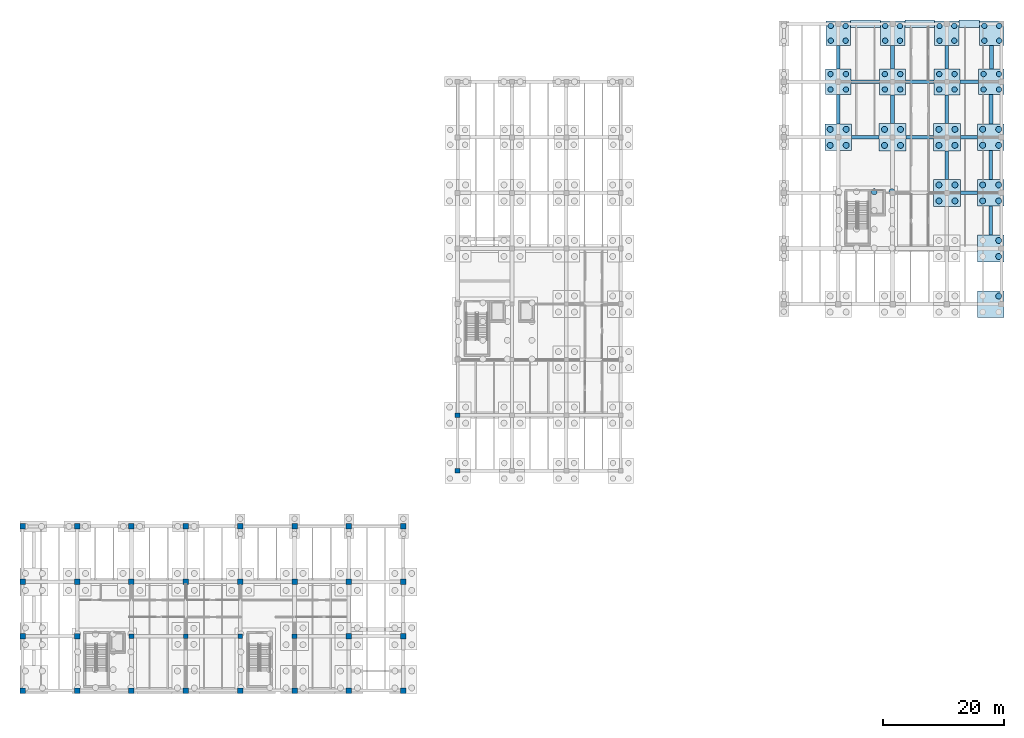
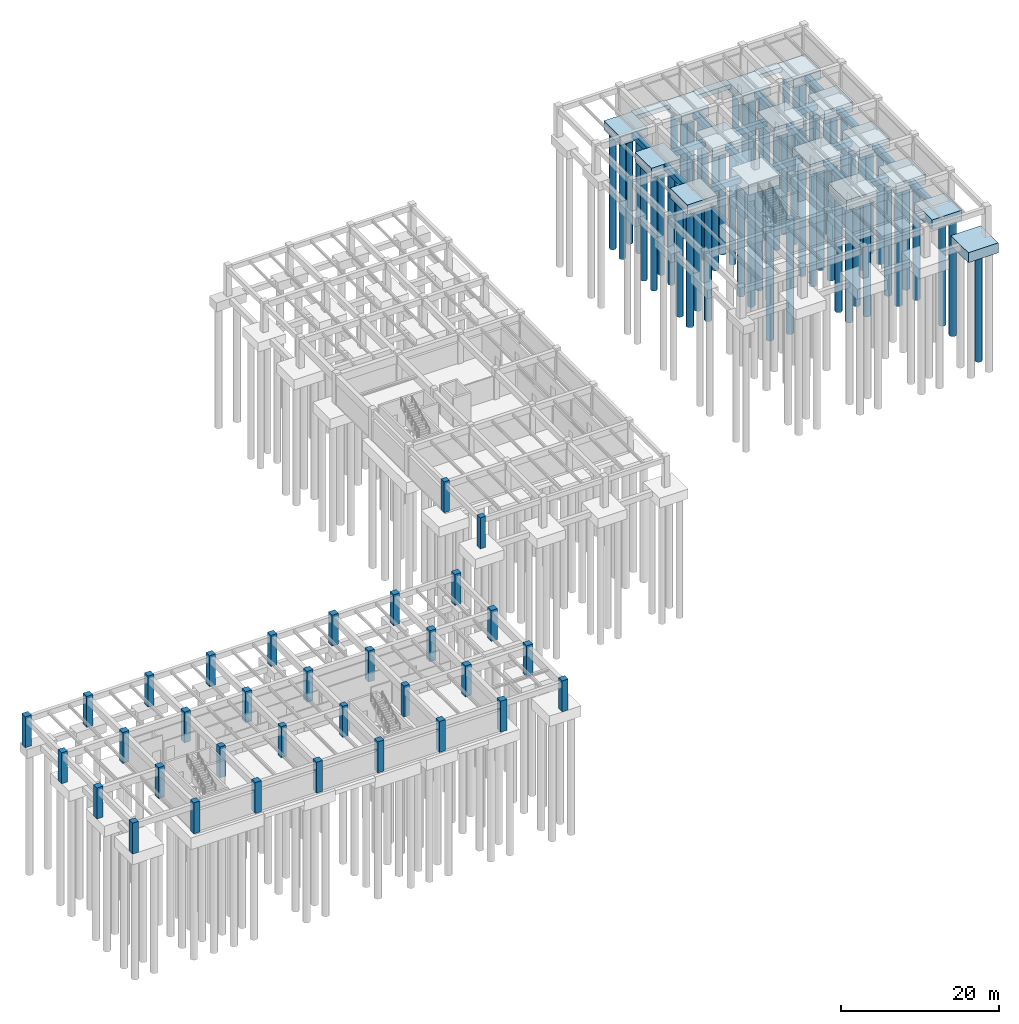
# One storey, part 4 of 16: 61 piles, 37 footings, 34 columns.
"""IFC4 building model written with IfcOpenShell, lengths in metres."""

from ifc_helpers import new_model, si_unit, direction, frame, origin, origin_2d, place, context, subcontext, project, spatial, rectangle, circle, extrude, material, material_profile, profile_set, type_object, element, save


model = new_model("IFC4")

# Units and contexts
model_context = context("Model", 3, precision=1e-05, world=origin(), true_north=direction((0.0, 1.0)))
body_context = subcontext(model_context, "Body", "Model", "MODEL_VIEW")
ifc_project = project(units=[si_unit("LENGTHUNIT", "METRE"), si_unit("AREAUNIT", "SQUARE_METRE"), si_unit("VOLUMEUNIT", "CUBIC_METRE"), si_unit("PLANEANGLEUNIT", "RADIAN"), si_unit("MASSUNIT", "GRAM", prefix="KILO")], contexts=[model_context])

# Site, building, storey
site_placement = place(None, origin())
site = spatial("IfcSite", under=ifc_project, at=site_placement, CompositionType="ELEMENT")
building_placement = place(site_placement, origin())
building = spatial("IfcBuilding", under=site, at=building_placement, Name="Bozkorgan Art Gallery", CompositionType="ELEMENT")
storey_placement = place(building_placement, frame((0.0, 0.0, -4.800048828125)))
storey = spatial("IfcBuildingStorey", under=building, at=storey_placement, Name="B1", CompositionType="ELEMENT", Elevation=-4.800048828125)

# Footings
ifc_material_1 = material(Name="Concrete C30/37", Category="concrete")
ifc_material_profile_1 = material_profile(ifc_material_1, rectangle(XDim=0.60009765625, YDim=0.85009765625, at=origin_2d()), Name="FND 600x850")
ifc_profile_set_1 = profile_set([ifc_material_profile_1], Name="Concrete C30/37")
footing_type_1 = type_object("IfcFootingType", Name="FOOTING-FB-70", PredefinedType="FOOTING_BEAM", material=ifc_profile_set_1)
footing_1_placement = place(storey_placement, frame((157.25, 84.39990234375, -0.925048828125), z_axis=(1.0, 0.0, 0.0), x_axis=(0.0, 1.0, 0.0)))
element("IfcFooting", 1, at=footing_1_placement, inside=storey, type_object=footing_type_1, Name="V5 foundation tie beam X (155-164, 84.4)", PredefinedType="FOOTING_BEAM", context=body_context, shape_type="SweptSolid", body=[
    extrude(rectangle(XDim=0.60009765625, YDim=0.85009765625, at=origin_2d()), origin(), (0.0, 0.0, 1.0), 2.800048828125),
])
footing_2_placement = place(storey_placement, frame((139.199951171875, 93.60009765625, -0.925048828125), z_axis=(1.0, 0.0, 0.0), x_axis=(0.0, 1.0, 0.0)))
element("IfcFooting", 2, at=footing_2_placement, inside=storey, type_object=footing_type_1, Name="V5 foundation tie beam X (137-146, 93.6)", PredefinedType="FOOTING_BEAM", context=body_context, shape_type="SweptSolid", body=[
    extrude(rectangle(XDim=0.60009765625, YDim=0.85009765625, at=origin_2d()), origin(), (0.0, 0.0, 1.0), 4.550048828125),
])
footing_3_placement = place(storey_placement, frame((148.25, 93.60009765625, -0.925048828125), z_axis=(1.0, 0.0, 0.0), x_axis=(0.0, 1.0, 0.0)))
element("IfcFooting", 3, at=footing_3_placement, inside=storey, type_object=footing_type_1, Name="V5 foundation tie beam X (146-155, 93.6)", PredefinedType="FOOTING_BEAM", context=body_context, shape_type="SweptSolid", body=[
    extrude(rectangle(XDim=0.60009765625, YDim=0.85009765625, at=origin_2d()), origin(), (0.0, 0.0, 1.0), 4.5),
])
footing_4_placement = place(storey_placement, frame((157.25, 93.60009765625, -0.925048828125), z_axis=(1.0, 0.0, 0.0), x_axis=(0.0, 1.0, 0.0)))
element("IfcFooting", 4, at=footing_4_placement, inside=storey, type_object=footing_type_1, Name="V5 foundation tie beam X (155-164, 93.6)", PredefinedType="FOOTING_BEAM", context=body_context, shape_type="SweptSolid", body=[
    extrude(rectangle(XDim=0.60009765625, YDim=0.85009765625, at=origin_2d()), origin(), (0.0, 0.0, 1.0), 2.800048828125),
])
footing_5_placement = place(storey_placement, frame((139.10009765625, 102.800048828125, -0.925048828125), z_axis=(1.0, 0.0, 0.0), x_axis=(0.0, 1.0, 0.0)))
element("IfcFooting", 5, at=footing_5_placement, inside=storey, type_object=footing_type_1, Name="V5 foundation tie beam X (137-146, 102.8)", PredefinedType="FOOTING_BEAM", context=body_context, shape_type="SweptSolid", body=[
    extrude(rectangle(XDim=0.60009765625, YDim=0.85009765625, at=origin_2d()), origin(), (0.0, 0.0, 1.0), 4.75),
])
footing_6_placement = place(storey_placement, frame((148.14990234375, 102.800048828125, -0.925048828125), z_axis=(1.0, 0.0, 0.0), x_axis=(0.0, 1.0, 0.0)))
element("IfcFooting", 6, at=footing_6_placement, inside=storey, type_object=footing_type_1, Name="V5 foundation tie beam X (146-155, 102.8)", PredefinedType="FOOTING_BEAM", context=body_context, shape_type="SweptSolid", body=[
    extrude(rectangle(XDim=0.60009765625, YDim=0.85009765625, at=origin_2d()), origin(), (0.0, 0.0, 1.0), 4.7001953125),
])
footing_7_placement = place(storey_placement, frame((157.14990234375, 102.800048828125, -0.925048828125), z_axis=(1.0, 0.0, 0.0), x_axis=(0.0, 1.0, 0.0)))
element("IfcFooting", 7, at=footing_7_placement, inside=storey, type_object=footing_type_1, Name="V5 foundation tie beam X (155-164, 102.8)", PredefinedType="FOOTING_BEAM", context=body_context, shape_type="SweptSolid", body=[
    extrude(rectangle(XDim=0.60009765625, YDim=0.85009765625, at=origin_2d()), origin(), (0.0, 0.0, 1.0), 3.10009765625),
])
footing_8_placement = place(storey_placement, frame((137.0, 95.800048828125, -0.925048828125), z_axis=(0.0, 1.0, 0.0), x_axis=(-1.0, 0.0, 0.0)))
element("IfcFooting", 8, at=footing_8_placement, inside=storey, type_object=footing_type_1, Name="V5 foundation tie beam Y (137, 93.6-102.8)", PredefinedType="FOOTING_BEAM", context=body_context, shape_type="SweptSolid", body=[
    extrude(rectangle(XDim=0.60009765625, YDim=0.85009765625, at=origin_2d()), origin(), (0.0, 0.0, 1.0), 4.89990234375),
])
footing_9_placement = place(storey_placement, frame((137.0, 104.89990234375, -0.925048828125), z_axis=(0.0, 1.0, 0.0), x_axis=(-1.0, 0.0, 0.0)))
element("IfcFooting", 9, at=footing_9_placement, inside=storey, type_object=footing_type_1, Name="V5 foundation tie beam Y (137, 102.8-112.4)", PredefinedType="FOOTING_BEAM", context=body_context, shape_type="SweptSolid", body=[
    extrude(rectangle(XDim=0.60009765625, YDim=0.85009765625, at=origin_2d()), origin(), (0.0, 0.0, 1.0), 3.900146484375),
])
footing_10_placement = place(storey_placement, frame((146.0, 95.85009765625, -0.925048828125), z_axis=(0.0, 1.0, 0.0), x_axis=(-1.0, 0.0, 0.0)))
element("IfcFooting", 10, at=footing_10_placement, inside=storey, type_object=footing_type_1, Name="V5 foundation tie beam Y (146, 93.6-102.8)", PredefinedType="FOOTING_BEAM", context=body_context, shape_type="SweptSolid", body=[
    extrude(rectangle(XDim=0.60009765625, YDim=0.85009765625, at=origin_2d()), origin(), (0.0, 0.0, 1.0), 4.7998046875),
])
footing_11_placement = place(storey_placement, frame((146.0, 104.949951171875, -0.925048828125), z_axis=(0.0, 1.0, 0.0), x_axis=(-1.0, 0.0, 0.0)))
element("IfcFooting", 11, at=footing_11_placement, inside=storey, type_object=footing_type_1, Name="V5 foundation tie beam Y (146, 102.8-112.4)", PredefinedType="FOOTING_BEAM", context=body_context, shape_type="SweptSolid", body=[
    extrude(rectangle(XDim=0.60009765625, YDim=0.85009765625, at=origin_2d()), origin(), (0.0, 0.0, 1.0), 3.85009765625),
])
footing_12_placement = place(storey_placement, frame((155.0, 86.64990234375, -0.925048828125), z_axis=(0.0, 1.0, 0.0), x_axis=(-1.0, 0.0, 0.0)))
element("IfcFooting", 12, at=footing_12_placement, inside=storey, type_object=footing_type_1, Name="V5 foundation tie beam Y (155, 84.4-93.6)", PredefinedType="FOOTING_BEAM", context=body_context, shape_type="SweptSolid", body=[
    extrude(rectangle(XDim=0.60009765625, YDim=0.85009765625, at=origin_2d()), origin(), (0.0, 0.0, 1.0), 4.7001953125),
])
footing_13_placement = place(storey_placement, frame((155.0, 95.85009765625, -0.925048828125), z_axis=(0.0, 1.0, 0.0), x_axis=(-1.0, 0.0, 0.0)))
element("IfcFooting", 13, at=footing_13_placement, inside=storey, type_object=footing_type_1, Name="V5 foundation tie beam Y (155, 93.6-102.8)", PredefinedType="FOOTING_BEAM", context=body_context, shape_type="SweptSolid", body=[
    extrude(rectangle(XDim=0.60009765625, YDim=0.85009765625, at=origin_2d()), origin(), (0.0, 0.0, 1.0), 4.7998046875),
])
footing_14_placement = place(storey_placement, frame((155.0, 104.949951171875, -0.925048828125), z_axis=(0.0, 1.0, 0.0), x_axis=(-1.0, 0.0, 0.0)))
element("IfcFooting", 14, at=footing_14_placement, inside=storey, type_object=footing_type_1, Name="V5 foundation tie beam Y (155, 102.8-112.4)", PredefinedType="FOOTING_BEAM", context=body_context, shape_type="SweptSolid", body=[
    extrude(rectangle(XDim=0.60009765625, YDim=0.85009765625, at=origin_2d()), origin(), (0.0, 0.0, 1.0), 3.85009765625),
])
footing_15_placement = place(storey_placement, frame((162.25, 77.39990234375, -0.925048828125), z_axis=(0.0, 1.0, 0.0), x_axis=(-1.0, 0.0, 0.0)))
element("IfcFooting", 15, at=footing_15_placement, inside=storey, type_object=footing_type_1, Name="V5 foundation tie beam Y (164, 75.2-84.4)", PredefinedType="FOOTING_BEAM", context=body_context, shape_type="SweptSolid", body=[
    extrude(rectangle(XDim=0.60009765625, YDim=0.85009765625, at=origin_2d()), origin(), (0.0, 0.0, 1.0), 4.800048828125),
])
footing_16_placement = place(storey_placement, frame((162.25, 86.60009765625, -0.925048828125), z_axis=(0.0, 1.0, 0.0), x_axis=(-1.0, 0.0, 0.0)))
element("IfcFooting", 16, at=footing_16_placement, inside=storey, type_object=footing_type_1, Name="V5 foundation tie beam Y (164, 84.4-93.6)", PredefinedType="FOOTING_BEAM", context=body_context, shape_type="SweptSolid", body=[
    extrude(rectangle(XDim=0.60009765625, YDim=0.85009765625, at=origin_2d()), origin(), (0.0, 0.0, 1.0), 4.7998046875),
])
footing_17_placement = place(storey_placement, frame((162.300048828125, 95.800048828125, -0.925048828125), z_axis=(0.0, 1.0, 0.0), x_axis=(-1.0, 0.0, 0.0)))
element("IfcFooting", 17, at=footing_17_placement, inside=storey, type_object=footing_type_1, Name="V5 foundation tie beam Y (164, 93.6-102.8)", PredefinedType="FOOTING_BEAM", context=body_context, shape_type="SweptSolid", body=[
    extrude(rectangle(XDim=0.60009765625, YDim=0.85009765625, at=origin_2d()), origin(), (0.0, 0.0, 1.0), 4.89990234375),
])
footing_18_placement = place(storey_placement, frame((162.387451171875, 104.89990234375, -0.925048828125), z_axis=(0.0, 1.0, 0.0), x_axis=(-1.0, 0.0, 0.0)))
element("IfcFooting", 18, at=footing_18_placement, inside=storey, type_object=footing_type_1, Name="V5 foundation tie beam Y (164, 102.8-112.4)", PredefinedType="FOOTING_BEAM", context=body_context, shape_type="SweptSolid", body=[
    extrude(rectangle(XDim=0.60009765625, YDim=0.85009765625, at=origin_2d()), origin(), (0.0, 0.0, 1.0), 3.900146484375),
])
footing_type_2 = type_object("IfcFootingType", Name="FOOTING-PC-17", PredefinedType="PILE_CAP", material=ifc_material_1)
for number, where, z_axis, x_axis, name in (
    (19, (137.0, 102.800048828125, -2.0), (0.0, 0.0, 1.0), (1.0, 0.0, 0.0), "V5 pile cap (137.0, 102.8)"),
    (20, (162.35009765625, 102.800048828125, -2.0), (0.0, 0.0, 1.0), (1.0, 0.0, 0.0), "V5 pile cap (164.0, 102.8)"),
):
    element("IfcFooting", number, at=place(storey_placement, frame(where, z_axis=z_axis, x_axis=x_axis)), inside=storey, type_object=footing_type_2, Name=name, PredefinedType="PILE_CAP", context=body_context, shape_type="SweptSolid", body=[
        extrude(rectangle(XDim=4.199951171875, YDim=4.199951171875, at=origin_2d()), origin(), (0.0, 0.0, 1.0), 1.5),
    ])
footing_type_3 = type_object("IfcFootingType", Name="FOOTING-PC-54", PredefinedType="PILE_CAP", material=ifc_material_1)
for number, where, z_axis, x_axis, name in (
    (21, (146.0, 93.60009765625, -2.10009765625), (0.0, 0.0, 1.0), (1.0, 0.0, 0.0), "V5 pile cap (146.0, 93.6)"),
    (22, (155.0, 84.39990234375, -2.10009765625), (0.0, 0.0, 1.0), (1.0, 0.0, 0.0), "V5 pile cap (155.0, 84.4)"),
    (23, (155.0, 93.60009765625, -2.10009765625), (0.0, 0.0, 1.0), (1.0, 0.0, 0.0), "V5 pile cap (155.0, 93.6)"),
):
    element("IfcFooting", number, at=place(storey_placement, frame(where, z_axis=z_axis, x_axis=x_axis)), inside=storey, type_object=footing_type_3, Name=name, PredefinedType="PILE_CAP", context=body_context, shape_type="SweptSolid", body=[
        extrude(rectangle(XDim=4.5, YDim=4.5, at=origin_2d()), origin(), (0.0, 0.0, 1.0), 1.60009765625),
    ])
footing_type_4 = type_object("IfcFootingType", Name="FOOTING-PC-72", PredefinedType="PILE_CAP", material=ifc_material_1)
for number, where, z_axis, x_axis, name in (
    (24, (146.0, 102.800048828125, -2.0), (0.0, 0.0, 1.0), (1.0, 0.0, 0.0), "V5 pile cap (146.0, 102.8)"),
    (25, (155.0, 102.800048828125, -2.0), (0.0, 0.0, 1.0), (1.0, 0.0, 0.0), "V5 pile cap (155.0, 102.8)"),
):
    element("IfcFooting", number, at=place(storey_placement, frame(where, z_axis=z_axis, x_axis=x_axis)), inside=storey, type_object=footing_type_4, Name=name, PredefinedType="PILE_CAP", context=body_context, shape_type="SweptSolid", body=[
        extrude(rectangle(XDim=4.300048828125, YDim=4.300048828125, at=origin_2d()), origin(), (0.0, 0.0, 1.0), 1.5),
    ])
footing_type_5 = type_object("IfcFootingType", Name="FOOTING-PC-74", PredefinedType="PILE_CAP", material=ifc_material_1)
for number, where, z_axis, x_axis, name in (
    (26, (137.0, 110.824951171875, -1.89990234375), (0.0, 0.0, 1.0), (1.0, 0.0, 0.0), "V5 pile cap (137.0, 112.4)"),
    (27, (146.0, 110.824951171875, -1.89990234375), (0.0, 0.0, 1.0), (1.0, 0.0, 0.0), "V5 pile cap (146.0, 112.4)"),
    (28, (155.0, 110.824951171875, -1.89990234375), (0.0, 0.0, 1.0), (1.0, 0.0, 0.0), "V5 pile cap (155.0, 112.4)"),
    (29, (162.425048828125, 110.824951171875, -1.89990234375), (0.0, 0.0, 1.0), (1.0, 0.0, 0.0), "V5 pile cap (164.0, 112.4)"),
):
    element("IfcFooting", number, at=place(storey_placement, frame(where, z_axis=z_axis, x_axis=x_axis)), inside=storey, type_object=footing_type_5, Name=name, PredefinedType="PILE_CAP", context=body_context, shape_type="SweptSolid", body=[
        extrude(rectangle(XDim=4.050048828125, YDim=4.050048828125, at=origin_2d()), origin(), (0.0, 0.0, 1.0), 1.39990234375),
    ])
footing_type_6 = type_object("IfcFootingType", Name="FOOTING-PC-76", PredefinedType="PILE_CAP", material=ifc_material_1)
for number, where, z_axis, x_axis, name in (
    (30, (137.0, 93.60009765625, -2.0498046875), (0.0, 0.0, 1.0), (1.0, 0.0, 0.0), "V5 pile cap (137.0, 93.6)"),
    (31, (162.25, 66.0, -1.5498046875), (0.0, 0.0, 1.0), (1.0, 0.0, 0.0), "V5 pile cap (164.0, 66.0)"),
    (32, (162.25, 75.199951171875, -2.0498046875), (0.0, 0.0, 1.0), (1.0, 0.0, 0.0), "V5 pile cap (164.0, 75.2)"),
    (33, (162.25, 84.39990234375, -2.0498046875), (0.0, 0.0, 1.0), (1.0, 0.0, 0.0), "V5 pile cap (164.0, 84.4)"),
    (34, (162.25, 93.60009765625, -2.0498046875), (0.0, 0.0, 1.0), (1.0, 0.0, 0.0), "V5 pile cap (164.0, 93.6)"),
):
    element("IfcFooting", number, at=place(storey_placement, frame(where, z_axis=z_axis, x_axis=x_axis)), inside=storey, type_object=footing_type_6, Name=name, PredefinedType="PILE_CAP", context=body_context, shape_type="SweptSolid", body=[
        extrude(rectangle(XDim=4.39990234375, YDim=4.39990234375, at=origin_2d()), origin(), (0.0, 0.0, 1.0), 1.550048828125),
    ])
ifc_material_profile_2 = material_profile(ifc_material_1, rectangle(XDim=1.25, YDim=0.699951171875, at=origin_2d()), Name="FND 1250x700")
ifc_profile_set_2 = profile_set([ifc_material_profile_2], Name="Concrete C30/37")
footing_type_7 = type_object("IfcFootingType", Name="FOOTING-SF-14", PredefinedType="STRIP_FOOTING", material=ifc_profile_set_2)
for number, where, z_axis, x_axis, name in (
    (35, (139.02490234375, 112.39990234375, -0.824951171875), (1.0, 0.0, 0.0), (0.0, 1.0, 0.0), "V5 B1 retaining wall strip footing 17"),
    (36, (148.02490234375, 112.39990234375, -0.824951171875), (1.0, 0.0, 0.0), (0.0, 1.0, 0.0), "V5 B1 retaining wall strip footing 18"),
):
    element("IfcFooting", number, at=place(storey_placement, frame(where, z_axis=z_axis, x_axis=x_axis)), inside=storey, type_object=footing_type_7, Name=name, PredefinedType="STRIP_FOOTING", context=body_context, shape_type="SweptSolid", body=[
        extrude(rectangle(XDim=1.25, YDim=0.699951171875, at=origin_2d()), origin(), (0.0, 0.0, 1.0), 4.9501953125),
    ])
footing_19_placement = place(storey_placement, frame((157.02490234375, 112.39990234375, -0.824951171875), z_axis=(1.0, 0.0, 0.0), x_axis=(0.0, 1.0, 0.0)))
element("IfcFooting", 37, at=footing_19_placement, inside=storey, type_object=footing_type_7, Name="V5 B1 retaining wall strip footing 19", PredefinedType="STRIP_FOOTING", context=body_context, shape_type="SweptSolid", body=[
    extrude(rectangle(XDim=1.25, YDim=0.699951171875, at=origin_2d()), origin(), (0.0, 0.0, 1.0), 3.375),
])

# Piles
ifc_material_profile_3 = material_profile(ifc_material_1, circle(Radius=0.5, at=origin_2d()), Name="PILE D1000")
ifc_profile_set_3 = profile_set([ifc_material_profile_3], Name="Concrete C30/37")
pile_type_1 = type_object("IfcPileType", Name="PILE-P-36", PredefinedType="BORED", material=ifc_profile_set_3)
for number, where, z_axis, x_axis, name in (
    (38, (142.966796875, 84.60009765625, -2.199951171875), (0.0, 0.0, -1.0), (1.0, 0.0, 0.0), "CORE3 bored pile 12"),
    (39, (145.89990234375, 84.60009765625, -2.199951171875), (0.0, 0.0, -1.0), (1.0, 0.0, 0.0), "CORE3 bored pile 16"),
):
    element("IfcPile", number, at=place(storey_placement, frame(where, z_axis=z_axis, x_axis=x_axis)), inside=storey, type_object=pile_type_1, Name=name, PredefinedType="BORED", context=body_context, shape_type="SweptSolid", body=[
        extrude(circle(Radius=0.5, at=origin_2d()), origin(), (0.0, 0.0, 1.0), 17.800048828125),
    ])
for number, where, z_axis, x_axis, name in (
    (40, (135.675048828125, 92.27490234375, -1.949951171875), (0.0, 0.0, -1.0), (1.0, 0.0, 0.0), "V5 pile (137.0, 93.6) #1"),
    (41, (138.324951171875, 92.27490234375, -1.949951171875), (0.0, 0.0, -1.0), (1.0, 0.0, 0.0), "V5 pile (137.0, 93.6) #2"),
    (42, (135.675048828125, 94.925048828125, -1.949951171875), (0.0, 0.0, -1.0), (1.0, 0.0, 0.0), "V5 pile (137.0, 93.6) #3"),
    (43, (138.324951171875, 94.925048828125, -1.949951171875), (0.0, 0.0, -1.0), (1.0, 0.0, 0.0), "V5 pile (137.0, 93.6) #4"),
):
    element("IfcPile", number, at=place(storey_placement, frame(where, z_axis=z_axis, x_axis=x_axis)), inside=storey, type_object=pile_type_1, Name=name, PredefinedType="BORED", context=body_context, shape_type="SweptSolid", body=[
        extrude(circle(Radius=0.5, at=origin_2d()), origin(), (0.0, 0.0, 1.0), 18.050048828125),
    ])
for number, where, z_axis, x_axis, name in (
    (44, (144.675048828125, 92.27490234375, -2.0), (0.0, 0.0, -1.0), (1.0, 0.0, 0.0), "V5 pile (146.0, 93.6) #1"),
    (45, (147.324951171875, 92.27490234375, -2.0), (0.0, 0.0, -1.0), (1.0, 0.0, 0.0), "V5 pile (146.0, 93.6) #2"),
    (46, (144.675048828125, 94.925048828125, -2.0), (0.0, 0.0, -1.0), (1.0, 0.0, 0.0), "V5 pile (146.0, 93.6) #3"),
    (47, (147.324951171875, 94.925048828125, -2.0), (0.0, 0.0, -1.0), (1.0, 0.0, 0.0), "V5 pile (146.0, 93.6) #4"),
    (48, (153.675048828125, 83.074951171875, -2.0), (0.0, 0.0, -1.0), (1.0, 0.0, 0.0), "V5 pile (155.0, 84.4) #1"),
    (49, (156.324951171875, 83.074951171875, -2.0), (0.0, 0.0, -1.0), (1.0, 0.0, 0.0), "V5 pile (155.0, 84.4) #2"),
    (50, (153.675048828125, 85.72509765625, -2.0), (0.0, 0.0, -1.0), (1.0, 0.0, 0.0), "V5 pile (155.0, 84.4) #3"),
    (51, (156.324951171875, 85.72509765625, -2.0), (0.0, 0.0, -1.0), (1.0, 0.0, 0.0), "V5 pile (155.0, 84.4) #4"),
    (52, (153.675048828125, 92.27490234375, -2.0), (0.0, 0.0, -1.0), (1.0, 0.0, 0.0), "V5 pile (155.0, 93.6) #1"),
    (53, (156.324951171875, 92.27490234375, -2.0), (0.0, 0.0, -1.0), (1.0, 0.0, 0.0), "V5 pile (155.0, 93.6) #2"),
    (54, (153.675048828125, 94.925048828125, -2.0), (0.0, 0.0, -1.0), (1.0, 0.0, 0.0), "V5 pile (155.0, 93.6) #3"),
    (55, (156.324951171875, 94.925048828125, -2.0), (0.0, 0.0, -1.0), (1.0, 0.0, 0.0), "V5 pile (155.0, 93.6) #4"),
):
    element("IfcPile", number, at=place(storey_placement, frame(where, z_axis=z_axis, x_axis=x_axis)), inside=storey, type_object=pile_type_1, Name=name, PredefinedType="BORED", context=body_context, shape_type="SweptSolid", body=[
        extrude(circle(Radius=0.5, at=origin_2d()), origin(), (0.0, 0.0, 1.0), 18.0),
    ])
pile_placement = place(storey_placement, frame((163.574951171875, 67.324951171875, -1.449951171875), z_axis=(0.0, 0.0, -1.0), x_axis=(1.0, 0.0, 0.0)))
element("IfcPile", 56, at=pile_placement, inside=storey, type_object=pile_type_1, Name="V5 pile (164.0, 66.0) #4", PredefinedType="BORED", context=body_context, shape_type="SweptSolid", body=[
    extrude(circle(Radius=0.5, at=origin_2d()), origin(), (0.0, 0.0, 1.0), 18.550048828125),
])
for number, where, z_axis, x_axis, name in (
    (57, (163.574951171875, 73.875, -1.949951171875), (0.0, 0.0, -1.0), (1.0, 0.0, 0.0), "V5 pile (164.0, 75.2) #2"),
    (58, (163.574951171875, 76.52490234375, -1.949951171875), (0.0, 0.0, -1.0), (1.0, 0.0, 0.0), "V5 pile (164.0, 75.2) #4"),
    (59, (160.925048828125, 83.074951171875, -1.949951171875), (0.0, 0.0, -1.0), (1.0, 0.0, 0.0), "V5 pile (164.0, 84.4) #1"),
    (60, (163.574951171875, 83.074951171875, -1.949951171875), (0.0, 0.0, -1.0), (1.0, 0.0, 0.0), "V5 pile (164.0, 84.4) #2"),
    (61, (160.925048828125, 85.72509765625, -1.949951171875), (0.0, 0.0, -1.0), (1.0, 0.0, 0.0), "V5 pile (164.0, 84.4) #3"),
    (62, (163.574951171875, 85.72509765625, -1.949951171875), (0.0, 0.0, -1.0), (1.0, 0.0, 0.0), "V5 pile (164.0, 84.4) #4"),
    (63, (160.925048828125, 92.27490234375, -1.949951171875), (0.0, 0.0, -1.0), (1.0, 0.0, 0.0), "V5 pile (164.0, 93.6) #1"),
    (64, (163.574951171875, 92.27490234375, -1.949951171875), (0.0, 0.0, -1.0), (1.0, 0.0, 0.0), "V5 pile (164.0, 93.6) #2"),
    (65, (160.925048828125, 94.925048828125, -1.949951171875), (0.0, 0.0, -1.0), (1.0, 0.0, 0.0), "V5 pile (164.0, 93.6) #3"),
    (66, (163.574951171875, 94.925048828125, -1.949951171875), (0.0, 0.0, -1.0), (1.0, 0.0, 0.0), "V5 pile (164.0, 93.6) #4"),
):
    element("IfcPile", number, at=place(storey_placement, frame(where, z_axis=z_axis, x_axis=x_axis)), inside=storey, type_object=pile_type_1, Name=name, PredefinedType="BORED", context=body_context, shape_type="SweptSolid", body=[
        extrude(circle(Radius=0.5, at=origin_2d()), origin(), (0.0, 0.0, 1.0), 18.050048828125),
    ])
ifc_material_profile_4 = material_profile(ifc_material_1, circle(Radius=0.449951171875, at=origin_2d()), Name="PILE D900")
ifc_profile_set_4 = profile_set([ifc_material_profile_4], Name="Concrete C30/37")
pile_type_2 = type_object("IfcPileType", Name="PILE-P-65", PredefinedType="BORED", material=ifc_profile_set_4)
for number, where, z_axis, x_axis, name in (
    (67, (135.72509765625, 101.52490234375, -1.89990234375), (0.0, 0.0, -1.0), (1.0, 0.0, 0.0), "V5 pile (137.0, 102.8) #1"),
    (68, (138.27490234375, 101.52490234375, -1.89990234375), (0.0, 0.0, -1.0), (1.0, 0.0, 0.0), "V5 pile (137.0, 102.8) #2"),
    (69, (135.72509765625, 104.074951171875, -1.89990234375), (0.0, 0.0, -1.0), (1.0, 0.0, 0.0), "V5 pile (137.0, 102.8) #3"),
    (70, (138.27490234375, 104.074951171875, -1.89990234375), (0.0, 0.0, -1.0), (1.0, 0.0, 0.0), "V5 pile (137.0, 102.8) #4"),
):
    element("IfcPile", number, at=place(storey_placement, frame(where, z_axis=z_axis, x_axis=x_axis)), inside=storey, type_object=pile_type_2, Name=name, PredefinedType="BORED", context=body_context, shape_type="SweptSolid", body=[
        extrude(circle(Radius=0.449951171875, at=origin_2d()), origin(), (0.0, 0.0, 1.0), 18.10009765625),
    ])
for number, where, z_axis, x_axis, name in (
    (71, (135.77490234375, 109.60009765625, -1.800048828125), (0.0, 0.0, -1.0), (1.0, 0.0, 0.0), "V5 pile (137.0, 112.4) #1"),
    (72, (138.22509765625, 109.60009765625, -1.800048828125), (0.0, 0.0, -1.0), (1.0, 0.0, 0.0), "V5 pile (137.0, 112.4) #2"),
    (73, (135.77490234375, 112.050048828125, -1.800048828125), (0.0, 0.0, -1.0), (1.0, 0.0, 0.0), "V5 pile (137.0, 112.4) #3"),
    (74, (138.22509765625, 112.050048828125, -1.800048828125), (0.0, 0.0, -1.0), (1.0, 0.0, 0.0), "V5 pile (137.0, 112.4) #4"),
):
    element("IfcPile", number, at=place(storey_placement, frame(where, z_axis=z_axis, x_axis=x_axis)), inside=storey, type_object=pile_type_2, Name=name, PredefinedType="BORED", context=body_context, shape_type="SweptSolid", body=[
        extrude(circle(Radius=0.449951171875, at=origin_2d()), origin(), (0.0, 0.0, 1.0), 18.199951171875),
    ])
for number, where, z_axis, x_axis, name in (
    (75, (144.72509765625, 101.52490234375, -1.89990234375), (0.0, 0.0, -1.0), (1.0, 0.0, 0.0), "V5 pile (146.0, 102.8) #1"),
    (76, (147.27490234375, 101.52490234375, -1.89990234375), (0.0, 0.0, -1.0), (1.0, 0.0, 0.0), "V5 pile (146.0, 102.8) #2"),
    (77, (144.72509765625, 104.074951171875, -1.89990234375), (0.0, 0.0, -1.0), (1.0, 0.0, 0.0), "V5 pile (146.0, 102.8) #3"),
    (78, (147.27490234375, 104.074951171875, -1.89990234375), (0.0, 0.0, -1.0), (1.0, 0.0, 0.0), "V5 pile (146.0, 102.8) #4"),
):
    element("IfcPile", number, at=place(storey_placement, frame(where, z_axis=z_axis, x_axis=x_axis)), inside=storey, type_object=pile_type_2, Name=name, PredefinedType="BORED", context=body_context, shape_type="SweptSolid", body=[
        extrude(circle(Radius=0.449951171875, at=origin_2d()), origin(), (0.0, 0.0, 1.0), 18.10009765625),
    ])
for number, where, z_axis, x_axis, name in (
    (79, (144.77490234375, 109.60009765625, -1.800048828125), (0.0, 0.0, -1.0), (1.0, 0.0, 0.0), "V5 pile (146.0, 112.4) #1"),
    (80, (147.22509765625, 109.60009765625, -1.800048828125), (0.0, 0.0, -1.0), (1.0, 0.0, 0.0), "V5 pile (146.0, 112.4) #2"),
    (81, (144.77490234375, 112.050048828125, -1.800048828125), (0.0, 0.0, -1.0), (1.0, 0.0, 0.0), "V5 pile (146.0, 112.4) #3"),
    (82, (147.22509765625, 112.050048828125, -1.800048828125), (0.0, 0.0, -1.0), (1.0, 0.0, 0.0), "V5 pile (146.0, 112.4) #4"),
):
    element("IfcPile", number, at=place(storey_placement, frame(where, z_axis=z_axis, x_axis=x_axis)), inside=storey, type_object=pile_type_2, Name=name, PredefinedType="BORED", context=body_context, shape_type="SweptSolid", body=[
        extrude(circle(Radius=0.449951171875, at=origin_2d()), origin(), (0.0, 0.0, 1.0), 18.199951171875),
    ])
for number, where, z_axis, x_axis, name in (
    (83, (153.72509765625, 101.52490234375, -1.89990234375), (0.0, 0.0, -1.0), (1.0, 0.0, 0.0), "V5 pile (155.0, 102.8) #1"),
    (84, (156.27490234375, 101.52490234375, -1.89990234375), (0.0, 0.0, -1.0), (1.0, 0.0, 0.0), "V5 pile (155.0, 102.8) #2"),
    (85, (153.72509765625, 104.074951171875, -1.89990234375), (0.0, 0.0, -1.0), (1.0, 0.0, 0.0), "V5 pile (155.0, 102.8) #3"),
    (86, (156.27490234375, 104.074951171875, -1.89990234375), (0.0, 0.0, -1.0), (1.0, 0.0, 0.0), "V5 pile (155.0, 102.8) #4"),
):
    element("IfcPile", number, at=place(storey_placement, frame(where, z_axis=z_axis, x_axis=x_axis)), inside=storey, type_object=pile_type_2, Name=name, PredefinedType="BORED", context=body_context, shape_type="SweptSolid", body=[
        extrude(circle(Radius=0.449951171875, at=origin_2d()), origin(), (0.0, 0.0, 1.0), 18.10009765625),
    ])
for number, where, z_axis, x_axis, name in (
    (87, (153.77490234375, 109.60009765625, -1.800048828125), (0.0, 0.0, -1.0), (1.0, 0.0, 0.0), "V5 pile (155.0, 112.4) #1"),
    (88, (156.22509765625, 109.60009765625, -1.800048828125), (0.0, 0.0, -1.0), (1.0, 0.0, 0.0), "V5 pile (155.0, 112.4) #2"),
    (89, (153.77490234375, 112.050048828125, -1.800048828125), (0.0, 0.0, -1.0), (1.0, 0.0, 0.0), "V5 pile (155.0, 112.4) #3"),
    (90, (156.22509765625, 112.050048828125, -1.800048828125), (0.0, 0.0, -1.0), (1.0, 0.0, 0.0), "V5 pile (155.0, 112.4) #4"),
):
    element("IfcPile", number, at=place(storey_placement, frame(where, z_axis=z_axis, x_axis=x_axis)), inside=storey, type_object=pile_type_2, Name=name, PredefinedType="BORED", context=body_context, shape_type="SweptSolid", body=[
        extrude(circle(Radius=0.449951171875, at=origin_2d()), origin(), (0.0, 0.0, 1.0), 18.199951171875),
    ])
for number, where, z_axis, x_axis, name in (
    (91, (161.074951171875, 101.52490234375, -1.89990234375), (0.0, 0.0, -1.0), (1.0, 0.0, 0.0), "V5 pile (164.0, 102.8) #1"),
    (92, (163.625, 101.52490234375, -1.89990234375), (0.0, 0.0, -1.0), (1.0, 0.0, 0.0), "V5 pile (164.0, 102.8) #2"),
    (93, (161.074951171875, 104.074951171875, -1.89990234375), (0.0, 0.0, -1.0), (1.0, 0.0, 0.0), "V5 pile (164.0, 102.8) #3"),
    (94, (163.625, 104.074951171875, -1.89990234375), (0.0, 0.0, -1.0), (1.0, 0.0, 0.0), "V5 pile (164.0, 102.8) #4"),
):
    element("IfcPile", number, at=place(storey_placement, frame(where, z_axis=z_axis, x_axis=x_axis)), inside=storey, type_object=pile_type_2, Name=name, PredefinedType="BORED", context=body_context, shape_type="SweptSolid", body=[
        extrude(circle(Radius=0.449951171875, at=origin_2d()), origin(), (0.0, 0.0, 1.0), 18.10009765625),
    ])
for number, where, z_axis, x_axis, name in (
    (95, (161.199951171875, 109.60009765625, -1.800048828125), (0.0, 0.0, -1.0), (1.0, 0.0, 0.0), "V5 pile (164.0, 112.4) #1"),
    (96, (163.64990234375, 109.60009765625, -1.800048828125), (0.0, 0.0, -1.0), (1.0, 0.0, 0.0), "V5 pile (164.0, 112.4) #2"),
    (97, (161.199951171875, 112.050048828125, -1.800048828125), (0.0, 0.0, -1.0), (1.0, 0.0, 0.0), "V5 pile (164.0, 112.4) #3"),
    (98, (163.64990234375, 112.050048828125, -1.800048828125), (0.0, 0.0, -1.0), (1.0, 0.0, 0.0), "V5 pile (164.0, 112.4) #4"),
):
    element("IfcPile", number, at=place(storey_placement, frame(where, z_axis=z_axis, x_axis=x_axis)), inside=storey, type_object=pile_type_2, Name=name, PredefinedType="BORED", context=body_context, shape_type="SweptSolid", body=[
        extrude(circle(Radius=0.449951171875, at=origin_2d()), origin(), (0.0, 0.0, 1.0), 18.199951171875),
    ])

# Columns
ifc_material_2 = material(Name="Concrete C40/50", Category="concrete")
ifc_material_profile_5 = material_profile(ifc_material_2, rectangle(XDim=0.89990234375, YDim=0.89990234375, at=origin_2d()), Name="RC 900x900")
ifc_profile_set_5 = profile_set([ifc_material_profile_5], Name="Concrete C40/50")
column_type_1 = type_object("IfcColumnType", Name="COLUMN-C-13", PredefinedType="COLUMN", material=ifc_profile_set_5)
for number, where, z_axis, x_axis, name in (
    (99, (2.0, 2.0, 0.0), (0.0, 0.0, 1.0), (1.0, 0.0, 0.0), "V1 B1 column (2.0, 2.0)"),
    (100, (2.0, 11.0, 0.0), (0.0, 0.0, 1.0), (1.0, 0.0, 0.0), "V1 B1 column (2.0, 11.0)"),
    (101, (2.0, 20.0, 0.0), (0.0, 0.0, 1.0), (1.0, 0.0, 0.0), "V1 B1 column (2.0, 20.0)"),
    (102, (2.0, 29.199951171875, 0.0), (0.0, 0.0, 1.0), (1.0, 0.0, 0.0), "V1 B1 column (2.0, 29.2)"),
    (103, (11.0, 2.0, 0.0), (0.0, 0.0, 1.0), (1.0, 0.0, 0.0), "V1 B1 column (11.0, 2.0)"),
    (104, (11.0, 11.0, 0.0), (0.0, 0.0, 1.0), (1.0, 0.0, 0.0), "V1 B1 column (11.0, 11.0)"),
    (105, (11.0, 20.0, 0.0), (0.0, 0.0, 1.0), (1.0, 0.0, 0.0), "V1 B1 column (11.0, 20.0)"),
    (106, (11.0, 29.199951171875, 0.0), (0.0, 0.0, 1.0), (1.0, 0.0, 0.0), "V1 B1 column (11.0, 29.2)"),
    (107, (20.0, 2.0, 0.0), (0.0, 0.0, 1.0), (1.0, 0.0, 0.0), "V1 B1 column (20.0, 2.0)"),
    (108, (20.0, 20.0, 0.0), (0.0, 0.0, 1.0), (1.0, 0.0, 0.0), "V1 B1 column (20.0, 20.0)"),
    (109, (20.0, 29.199951171875, 0.0), (0.0, 0.0, 1.0), (1.0, 0.0, 0.0), "V1 B1 column (20.0, 29.2)"),
    (110, (29.0, 2.0, 0.0), (0.0, 0.0, 1.0), (1.0, 0.0, 0.0), "V1 B1 column (29.0, 2.0)"),
    (111, (29.0, 20.0, 0.0), (0.0, 0.0, 1.0), (1.0, 0.0, 0.0), "V1 B1 column (29.0, 20.0)"),
    (112, (29.0, 29.199951171875, 0.0), (0.0, 0.0, 1.0), (1.0, 0.0, 0.0), "V1 B1 column (29.0, 29.2)"),
    (113, (38.0, 2.0, 0.0), (0.0, 0.0, 1.0), (1.0, 0.0, 0.0), "V1 B1 column (38.0, 2.0)"),
    (114, (38.0, 20.0, 0.0), (0.0, 0.0, 1.0), (1.0, 0.0, 0.0), "V1 B1 column (38.0, 20.0)"),
    (115, (38.0, 29.199951171875, 0.0), (0.0, 0.0, 1.0), (1.0, 0.0, 0.0), "V1 B1 column (38.0, 29.2)"),
    (116, (47.0, 2.0, 0.0), (0.0, 0.0, 1.0), (1.0, 0.0, 0.0), "V1 B1 column (47.0, 2.0)"),
    (117, (47.0, 20.0, 0.0), (0.0, 0.0, 1.0), (1.0, 0.0, 0.0), "V1 B1 column (47.0, 20.0)"),
    (118, (47.0, 29.199951171875, 0.0), (0.0, 0.0, 1.0), (1.0, 0.0, 0.0), "V1 B1 column (47.0, 29.2)"),
    (119, (56.0, 2.0, 0.0), (0.0, 0.0, 1.0), (1.0, 0.0, 0.0), "V1 B1 column (56.0, 2.0)"),
    (120, (56.0, 11.0, 0.0), (0.0, 0.0, 1.0), (1.0, 0.0, 0.0), "V1 B1 column (56.0, 11.0)"),
    (121, (56.0, 20.0, 0.0), (0.0, 0.0, 1.0), (1.0, 0.0, 0.0), "V1 B1 column (56.0, 20.0)"),
    (122, (56.0, 29.199951171875, 0.0), (0.0, 0.0, 1.0), (1.0, 0.0, 0.0), "V1 B1 column (56.0, 29.2)"),
    (123, (65.0, 2.0, 0.0), (0.0, 0.0, 1.0), (1.0, 0.0, 0.0), "V1 B1 column (65.0, 2.0)"),
    (124, (65.0, 11.0, 0.0), (0.0, 0.0, 1.0), (1.0, 0.0, 0.0), "V1 B1 column (65.0, 11.0)"),
    (125, (65.0, 20.0, 0.0), (0.0, 0.0, 1.0), (1.0, 0.0, 0.0), "V1 B1 column (65.0, 20.0)"),
    (126, (65.0, 29.199951171875, 0.0), (0.0, 0.0, 1.0), (1.0, 0.0, 0.0), "V1 B1 column (65.0, 29.2)"),
):
    element("IfcColumn", number, at=place(storey_placement, frame(where, z_axis=z_axis, x_axis=x_axis)), inside=storey, type_object=column_type_1, Name=name, PredefinedType="COLUMN", context=body_context, shape_type="SweptSolid", body=[
        extrude(rectangle(XDim=0.89990234375, YDim=0.89990234375, at=origin_2d()), origin(), (0.0, 0.0, 1.0), 4.800048828125),
    ])
ifc_material_profile_6 = material_profile(ifc_material_2, rectangle(XDim=0.800048828125, YDim=0.800048828125, at=origin_2d()), Name="RC 800x800")
ifc_profile_set_6 = profile_set([ifc_material_profile_6], Name="Concrete C40/50")
column_type_2 = type_object("IfcColumnType", Name="COLUMN-C-29", PredefinedType="COLUMN", material=ifc_profile_set_6)
for number, where, z_axis, x_axis, name in (
    (127, (20.0, 11.0, 0.0), (0.0, 0.0, 1.0), (1.0, 0.0, 0.0), "V1 B1 column (20.0, 11.0)"),
    (128, (29.0, 11.0, 0.0), (0.0, 0.0, 1.0), (1.0, 0.0, 0.0), "V1 B1 column (29.0, 11.0)"),
    (129, (38.0, 11.0, 0.0), (0.0, 0.0, 1.0), (1.0, 0.0, 0.0), "V1 B1 column (38.0, 11.0)"),
    (130, (47.0, 11.0, 0.0), (0.0, 0.0, 1.0), (1.0, 0.0, 0.0), "V1 B1 column (47.0, 11.0)"),
):
    element("IfcColumn", number, at=place(storey_placement, frame(where, z_axis=z_axis, x_axis=x_axis)), inside=storey, type_object=column_type_2, Name=name, PredefinedType="COLUMN", context=body_context, shape_type="SweptSolid", body=[
        extrude(rectangle(XDim=0.800048828125, YDim=0.800048828125, at=origin_2d()), origin(), (0.0, 0.0, 1.0), 4.800048828125),
    ])
ifc_material_profile_7 = material_profile(ifc_material_2, rectangle(XDim=0.800048828125, YDim=0.800048828125, at=origin_2d()), Name="RC 800x800")
ifc_profile_set_7 = profile_set([ifc_material_profile_7], Name="Concrete C40/50")
column_type_3 = type_object("IfcColumnType", Name="COLUMN-C-45", PredefinedType="COLUMN", material=ifc_profile_set_7)
for number, where, z_axis, x_axis, name in (
    (131, (74.0, 38.39990234375, 0.0), (0.0, 0.0, 1.0), (1.0, 0.0, 0.0), "V4 B1 column (74.0, 38.4)"),
    (132, (74.0, 47.60009765625, 0.0), (0.0, 0.0, 1.0), (1.0, 0.0, 0.0), "V4 B1 column (74.0, 47.6)"),
):
    element("IfcColumn", number, at=place(storey_placement, frame(where, z_axis=z_axis, x_axis=x_axis)), inside=storey, type_object=column_type_3, Name=name, PredefinedType="COLUMN", context=body_context, shape_type="SweptSolid", body=[
        extrude(rectangle(XDim=0.800048828125, YDim=0.800048828125, at=origin_2d()), origin(), (0.0, 0.0, 1.0), 4.800048828125),
    ])

save(model, "model.ifc")
